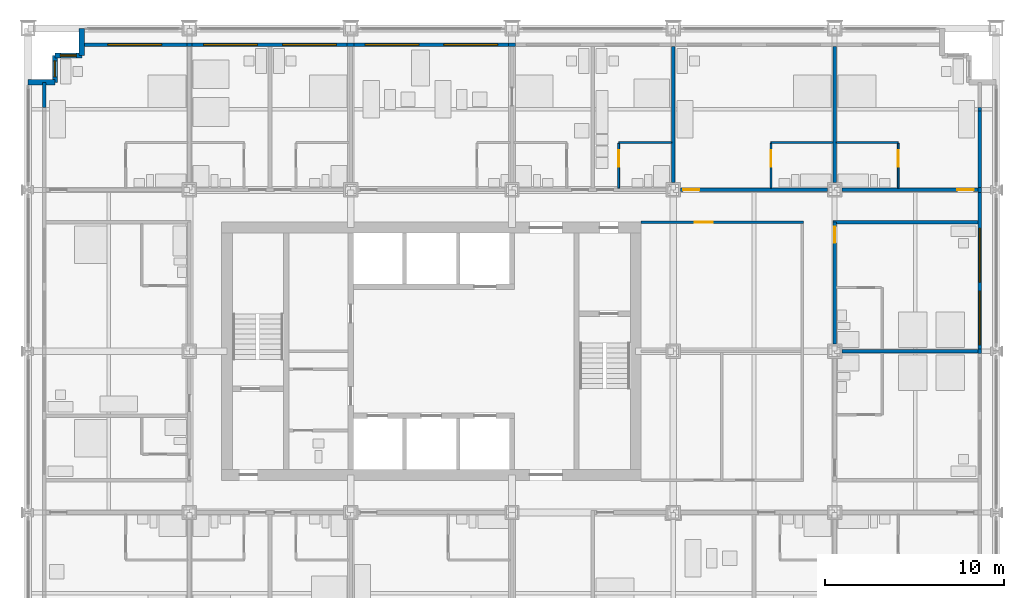
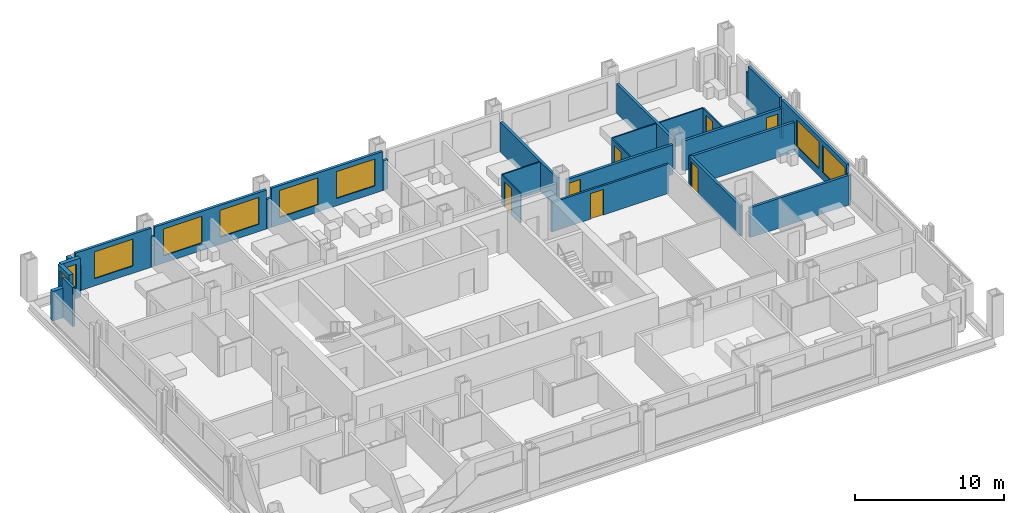
# One storey, part 14 of 18: 30 walls, 9 windows, 7 doors, 16 openings.
"""IFC4 building model written with IfcOpenShell, lengths in metres."""

from ifc_helpers import new_model, si_unit, direction, frame, frame_2d, origin, place, context, subcontext, project, spatial, rectangle, extrude, material, layer, layer_set, type_object, element, fill, save


model = new_model("IFC4")

# Units and contexts
model_context = context("Model", 3, precision=1e-05, world=origin(), true_north=direction((0.0, 1.0)))
body_context = subcontext(model_context, "Body", "Model", "MODEL_VIEW")
ifc_project = project(units=[si_unit("LENGTHUNIT", "METRE"), si_unit("AREAUNIT", "SQUARE_METRE"), si_unit("VOLUMEUNIT", "CUBIC_METRE"), si_unit("PLANEANGLEUNIT", "RADIAN"), si_unit("MASSUNIT", "GRAM", prefix="KILO")], contexts=[model_context])

# Site, building, storey
site_placement = place(None, origin())
site = spatial("IfcSite", under=ifc_project, at=site_placement, CompositionType="ELEMENT")
building_placement = place(site_placement, origin())
building = spatial("IfcBuilding", under=site, at=building_placement, Name="Loomwork Tower", CompositionType="ELEMENT")
storey_placement = place(building_placement, frame((0.0, 0.0, 38.199951171875)))
storey = spatial("IfcBuildingStorey", under=building, at=storey_placement, Name="L08", CompositionType="ELEMENT", Elevation=38.199951171875)

# Wall, opening, door
ifc_material_1 = material(Name="Gypsum board on steel studs, one-hour", Category="steel")
ifc_layer_1 = layer(ifc_material_1, 0.199951171875)
ifc_layer_set_1 = layer_set([ifc_layer_1], Name="Corridor wall 200")
wall_type_1 = type_object("IfcWallType", Name="Corridor wall 200", PredefinedType="PARTITIONING", material=ifc_layer_set_1)
wall_1_placement = place(storey_placement, frame((36.39990234375, 27.0, 0.0), z_axis=(0.0, 0.0, 1.0), x_axis=(1.0, 0.0, 0.0)))
wall_1 = element("IfcWall", 1, at=wall_1_placement, inside=storey, type_object=wall_type_1, Name="North corridor wall 5", PredefinedType="PARTITIONING", context=body_context, shape_type="SweptSolid", body=[
    extrude(rectangle(XDim=8.2001953125, YDim=0.199951171875, at=frame_2d((4.10009765625, 0.0))), origin(), (0.0, 0.0, 1.0), 2.43798828125),
])
opening_1_placement = place(wall_1_placement, frame((0.14990234375, 0.0, 0.0)))
opening_1 = element("IfcOpeningElement", 2, at=opening_1_placement, cuts=wall_1, Name="Opening D1", PredefinedType="OPENING", context=body_context, shape_type="SweptSolid", body=[
    extrude(rectangle(XDim=0.89990234375, YDim=2.10009765625, at=frame_2d((0.449951171875, 1.050048828125))), frame((0.0, 0.10986328125, 0.0), z_axis=(0.0, -1.0, 0.0), x_axis=(1.0, 0.0, 0.0)), (0.0, 0.0, 1.0), 0.219970703125),
])
ifc_material_2 = material(Name="Hollow metal door and frame")
door_type_1 = type_object("IfcDoorType", Name="Guest room entry door 900", OperationType="SINGLE_SWING_LEFT", PredefinedType="DOOR", material=ifc_material_2)
door_1_placement = place(opening_1_placement, origin())
door_1 = element("IfcDoor", 3, at=door_1_placement, inside=storey, type_object=door_type_1, Name="Guest room entry door L08 14", OperationType="SINGLE_SWING_LEFT", OverallHeight=2.10009765625, OverallWidth=0.89990234375, PredefinedType="DOOR", context=body_context, shape_type="SweptSolid", body=[
    extrude(rectangle(XDim=0.89990234375, YDim=2.10009765625, at=frame_2d((0.449951171875, 1.050048828125))), frame((0.0, 0.02490234375, 0.0), z_axis=(0.0, -1.0, 0.0), x_axis=(1.0, 0.0, 0.0)), (0.0, 0.0, 1.0), 0.050048828125),
])
fill(opening_1, door_1)

wall_2_placement = place(storey_placement, frame((45.39990234375, 27.0, 0.0), z_axis=(0.0, 0.0, 1.0), x_axis=(1.0, 0.0, 0.0)))
wall_2 = element("IfcWall", 4, at=wall_2_placement, inside=storey, type_object=wall_type_1, Name="North corridor wall 6", PredefinedType="PARTITIONING", context=body_context, shape_type="SweptSolid", body=[
    extrude(rectangle(XDim=7.60009765625, YDim=0.199951171875, at=frame_2d((3.800048828125, 0.0))), origin(), (0.0, 0.0, 1.0), 2.43798828125),
])
opening_2_placement = place(wall_2_placement, frame((6.449951171875, 0.0, 0.0)))
opening_2 = element("IfcOpeningElement", 5, at=opening_2_placement, cuts=wall_2, Name="Opening D1", PredefinedType="OPENING", context=body_context, shape_type="SweptSolid", body=[
    extrude(rectangle(XDim=0.89990234375, YDim=2.10009765625, at=frame_2d((0.449951171875, 1.050048828125))), frame((0.0, 0.10986328125, 0.0), z_axis=(0.0, -1.0, 0.0), x_axis=(1.0, 0.0, 0.0)), (0.0, 0.0, 1.0), 0.219970703125),
])
door_2_placement = place(opening_2_placement, origin())
door_2 = element("IfcDoor", 6, at=door_2_placement, inside=storey, type_object=door_type_1, Name="Guest room entry door L08 15", OperationType="SINGLE_SWING_RIGHT", OverallHeight=2.10009765625, OverallWidth=0.89990234375, PredefinedType="DOOR", context=body_context, shape_type="SweptSolid", body=[
    extrude(rectangle(XDim=0.89990234375, YDim=2.10009765625, at=frame_2d((0.449951171875, 1.050048828125))), frame((0.0, 0.02490234375, 0.0), z_axis=(0.0, -1.0, 0.0), x_axis=(1.0, 0.0, 0.0)), (0.0, 0.0, 1.0), 0.050048828125),
])
fill(opening_2, door_2)

wall_3_placement = place(storey_placement, frame((45.0, 18.39990234375, 0.0), z_axis=(0.0, 0.0, 1.0), x_axis=(0.0, 1.0, 0.0)))
wall_3 = element("IfcWall", 7, at=wall_3_placement, inside=storey, type_object=wall_type_1, Name="East corridor wall 2", PredefinedType="PARTITIONING", context=body_context, shape_type="SweptSolid", body=[
    extrude(rectangle(XDim=6.800048828125, YDim=0.199951171875, at=frame_2d((3.39990234375, 0.0))), origin(), (0.0, 0.0, 1.0), 2.43798828125),
])
opening_3_placement = place(wall_3_placement, frame((5.64990234375, 0.0, 0.0)))
opening_3 = element("IfcOpeningElement", 8, at=opening_3_placement, cuts=wall_3, Name="Opening D1", PredefinedType="OPENING", context=body_context, shape_type="SweptSolid", body=[
    extrude(rectangle(XDim=0.89990234375, YDim=2.10009765625, at=frame_2d((0.449951171875, 1.050048828125))), frame((0.0, 0.10986328125, 0.0), z_axis=(0.0, -1.0, 0.0), x_axis=(1.0, 0.0, 0.0)), (0.0, 0.0, 1.0), 0.219970703125),
])
door_3_placement = place(opening_3_placement, frame((0.89990234375, 0.0, 0.0), z_axis=(0.0, 0.0, 1.0), x_axis=(-1.0, 0.0, 0.0)))
door_3 = element("IfcDoor", 9, at=door_3_placement, inside=storey, type_object=door_type_1, Name="Guest room entry door L08 19", OperationType="SINGLE_SWING_LEFT", OverallHeight=2.10009765625, OverallWidth=0.89990234375, PredefinedType="DOOR", context=body_context, shape_type="SweptSolid", body=[
    extrude(rectangle(XDim=0.89990234375, YDim=2.10009765625, at=frame_2d((0.449951171875, 1.050048828125))), frame((0.0, 0.02490234375, 0.0), z_axis=(0.0, -1.0, 0.0), x_axis=(1.0, 0.0, 0.0)), (0.0, 0.0, 1.0), 0.050048828125),
])
fill(opening_3, door_3)

# Walls
wall_4_placement = place(storey_placement, frame((44.89990234375, 25.199951171875, 0.0), z_axis=(0.0, 0.0, 1.0), x_axis=(1.0, 0.0, 0.0)))
element("IfcWall", 10, at=wall_4_placement, inside=storey, type_object=wall_type_1, Name="East band end wall N", PredefinedType="PARTITIONING", context=body_context, shape_type="SweptSolid", body=[
    extrude(rectangle(XDim=8.10009765625, YDim=0.199951171875, at=frame_2d((4.050048828125, 0.0))), origin(), (0.0, 0.0, 1.0), 2.43798828125),
])
ifc_material_3 = material(Name="Cement board on steel studs", Category="steel")
ifc_layer_2 = layer(ifc_material_3, 0.10009765625)
ifc_layer_set_2 = layer_set([ifc_layer_2], Name="En-suite partition 100")
wall_type_2 = type_object("IfcWallType", Name="En-suite partition 100", PredefinedType="PARTITIONING", material=ifc_layer_set_2)
wall_5_placement = place(storey_placement, frame((32.949951171875, 29.64990234375, 0.0), z_axis=(0.0, 0.0, 1.0), x_axis=(1.0, 0.0, 0.0)))
element("IfcWall", 11, at=wall_5_placement, inside=storey, type_object=wall_type_2, Name="En-suite wall L08 room 13", PredefinedType="PARTITIONING", context=body_context, shape_type="SweptSolid", body=[
    extrude(rectangle(XDim=2.949951171875, YDim=0.10009765625, at=frame_2d((1.47509765625, 0.0))), origin(), (0.0, 0.0, 1.0), 2.43798828125),
])

# Wall, opening, door
wall_6_placement = place(storey_placement, frame((32.949951171875, 27.10009765625, 0.0), z_axis=(0.0, 0.0, 1.0), x_axis=(0.0, 1.0, 0.0)))
wall_6 = element("IfcWall", 12, at=wall_6_placement, inside=storey, type_object=wall_type_2, Name="En-suite side wall L08 room 13", PredefinedType="PARTITIONING", context=body_context, shape_type="SweptSolid", body=[
    extrude(rectangle(XDim=2.5, YDim=0.10009765625, at=frame_2d((1.25, 0.0))), origin(), (0.0, 0.0, 1.0), 2.404052734375),
])
opening_4_placement = place(wall_6_placement, frame((1.199951171875, 0.0, 0.0)))
opening_4 = element("IfcOpeningElement", 13, at=opening_4_placement, cuts=wall_6, Name="Opening D2", PredefinedType="OPENING", context=body_context, shape_type="SweptSolid", body=[
    extrude(rectangle(XDim=0.89990234375, YDim=2.10009765625, at=frame_2d((0.449951171875, 1.050048828125))), frame((0.0, 0.06005859375, 0.0), z_axis=(0.0, -1.0, 0.0), x_axis=(1.0, 0.0, 0.0)), (0.0, 0.0, 1.0), 0.1201171875),
])
ifc_material_4 = material(Name="Hollow metal door and frame")
door_type_2 = type_object("IfcDoorType", Name="En-suite door 900", OperationType="SINGLE_SWING_LEFT", PredefinedType="DOOR", material=ifc_material_4)
door_4_placement = place(opening_4_placement, frame((0.89990234375, 0.0, 0.0), z_axis=(0.0, 0.0, 1.0), x_axis=(-1.0, 0.0, 0.0)))
door_4 = element("IfcDoor", 14, at=door_4_placement, inside=storey, type_object=door_type_2, Name="En-suite door room 13", OperationType="SINGLE_SWING_LEFT", OverallHeight=2.10009765625, OverallWidth=0.89990234375, PredefinedType="DOOR", context=body_context, shape_type="SweptSolid", body=[
    extrude(rectangle(XDim=0.89990234375, YDim=2.10009765625, at=frame_2d((0.449951171875, 1.050048828125))), frame((0.0, 0.02490234375, 0.0), z_axis=(0.0, -1.0, 0.0), x_axis=(1.0, 0.0, 0.0)), (0.0, 0.0, 1.0), 0.050048828125),
])
fill(opening_4, door_4)

# Wall
wall_7_placement = place(storey_placement, frame((41.449951171875, 29.64990234375, 0.0), z_axis=(0.0, 0.0, 1.0), x_axis=(1.0, 0.0, 0.0)))
element("IfcWall", 15, at=wall_7_placement, inside=storey, type_object=wall_type_2, Name="En-suite wall L08 room 14", PredefinedType="PARTITIONING", context=body_context, shape_type="SweptSolid", body=[
    extrude(rectangle(XDim=3.449951171875, YDim=0.10009765625, at=frame_2d((1.72509765625, 0.0))), origin(), (0.0, 0.0, 1.0), 2.43798828125),
])

# Wall, opening, door
wall_8_placement = place(storey_placement, frame((41.449951171875, 27.10009765625, 0.0), z_axis=(0.0, 0.0, 1.0), x_axis=(0.0, 1.0, 0.0)))
wall_8 = element("IfcWall", 16, at=wall_8_placement, inside=storey, type_object=wall_type_2, Name="En-suite side wall L08 room 14", PredefinedType="PARTITIONING", context=body_context, shape_type="SweptSolid", body=[
    extrude(rectangle(XDim=2.5, YDim=0.10009765625, at=frame_2d((1.25, 0.0))), origin(), (0.0, 0.0, 1.0), 2.43798828125),
])
opening_5_placement = place(wall_8_placement, frame((1.199951171875, 0.0, 0.0)))
opening_5 = element("IfcOpeningElement", 17, at=opening_5_placement, cuts=wall_8, Name="Opening D2", PredefinedType="OPENING", context=body_context, shape_type="SweptSolid", body=[
    extrude(rectangle(XDim=0.89990234375, YDim=2.10009765625, at=frame_2d((0.449951171875, 1.050048828125))), frame((0.0, 0.06005859375, 0.0), z_axis=(0.0, -1.0, 0.0), x_axis=(1.0, 0.0, 0.0)), (0.0, 0.0, 1.0), 0.1201171875),
])
door_5_placement = place(opening_5_placement, frame((0.89990234375, 0.0, 0.0), z_axis=(0.0, 0.0, 1.0), x_axis=(-1.0, 0.0, 0.0)))
door_5 = element("IfcDoor", 18, at=door_5_placement, inside=storey, type_object=door_type_2, Name="En-suite door room 14", OperationType="SINGLE_SWING_LEFT", OverallHeight=2.10009765625, OverallWidth=0.89990234375, PredefinedType="DOOR", context=body_context, shape_type="SweptSolid", body=[
    extrude(rectangle(XDim=0.89990234375, YDim=2.10009765625, at=frame_2d((0.449951171875, 1.050048828125))), frame((0.0, 0.02490234375, 0.0), z_axis=(0.0, -1.0, 0.0), x_axis=(1.0, 0.0, 0.0)), (0.0, 0.0, 1.0), 0.050048828125),
])
fill(opening_5, door_5)

# Wall
wall_9_placement = place(storey_placement, frame((45.10009765625, 29.64990234375, 0.0), z_axis=(0.0, 0.0, 1.0), x_axis=(1.0, 0.0, 0.0)))
element("IfcWall", 19, at=wall_9_placement, inside=storey, type_object=wall_type_2, Name="En-suite wall L08 room 15", PredefinedType="PARTITIONING", context=body_context, shape_type="SweptSolid", body=[
    extrude(rectangle(XDim=3.449951171875, YDim=0.10009765625, at=frame_2d((1.72509765625, 0.0))), origin(), (0.0, 0.0, 1.0), 2.43798828125),
])

# Wall, opening, door
wall_10_placement = place(storey_placement, frame((48.550048828125, 27.10009765625, 0.0), z_axis=(0.0, 0.0, 1.0), x_axis=(0.0, 1.0, 0.0)))
wall_10 = element("IfcWall", 20, at=wall_10_placement, inside=storey, type_object=wall_type_2, Name="En-suite side wall L08 room 15", PredefinedType="PARTITIONING", context=body_context, shape_type="SweptSolid", body=[
    extrude(rectangle(XDim=2.5, YDim=0.10009765625, at=frame_2d((1.25, 0.0))), origin(), (0.0, 0.0, 1.0), 2.43798828125),
])
opening_6_placement = place(wall_10_placement, frame((1.199951171875, 0.0, 0.0)))
opening_6 = element("IfcOpeningElement", 21, at=opening_6_placement, cuts=wall_10, Name="Opening D2", PredefinedType="OPENING", context=body_context, shape_type="SweptSolid", body=[
    extrude(rectangle(XDim=0.89990234375, YDim=2.10009765625, at=frame_2d((0.449951171875, 1.050048828125))), frame((0.0, 0.06005859375, 0.0), z_axis=(0.0, -1.0, 0.0), x_axis=(1.0, 0.0, 0.0)), (0.0, 0.0, 1.0), 0.1201171875),
])
door_6_placement = place(opening_6_placement, origin())
door_6 = element("IfcDoor", 22, at=door_6_placement, inside=storey, type_object=door_type_2, Name="En-suite door room 15", OperationType="SINGLE_SWING_RIGHT", OverallHeight=2.10009765625, OverallWidth=0.89990234375, PredefinedType="DOOR", context=body_context, shape_type="SweptSolid", body=[
    extrude(rectangle(XDim=0.89990234375, YDim=2.10009765625, at=frame_2d((0.449951171875, 1.050048828125))), frame((0.0, 0.02490234375, 0.0), z_axis=(0.0, -1.0, 0.0), x_axis=(1.0, 0.0, 0.0)), (0.0, 0.0, 1.0), 0.050048828125),
])
fill(opening_6, door_6)

# Walls
ifc_material_5 = material(Name="Gypsum board on steel studs, acoustic", Category="steel")
ifc_layer_3 = layer(ifc_material_5, 0.199951171875)
ifc_layer_set_3 = layer_set([ifc_layer_3], Name="Guest room party wall 200")
wall_type_3 = type_object("IfcWallType", Name="Guest room party wall 200", PredefinedType="PARTITIONING", material=ifc_layer_set_3)
for number, where, z_axis, x_axis, name in (
    (23, (36.0, 27.39990234375, 0.0), (0.0, 0.0, 1.0), (0.0, 1.0, 0.0), "Guest room party wall N 36"),
    (24, (45.0, 27.39990234375, 0.0), (0.0, 0.0, 1.0), (0.0, 1.0, 0.0), "Guest room party wall N 45"),
    (25, (45.39990234375, 18.0, 0.0), (0.0, 0.0, 1.0), (1.0, 0.0, 0.0), "Guest room party wall E 18"),
):
    element("IfcWall", number, at=place(storey_placement, frame(where, z_axis=z_axis, x_axis=x_axis)), inside=storey, type_object=wall_type_3, Name=name, PredefinedType="PARTITIONING", context=body_context, shape_type="SweptSolid", body=[
        extrude(rectangle(XDim=7.60009765625, YDim=0.199951171875, at=frame_2d((3.800048828125, 0.0))), origin(), (0.0, 0.0, 1.0), 2.43798828125),
    ])

# Wall, opening, window
ifc_material_6 = material(Name="Insulated steel stud wall with gypsum lining", Category="steel")
ifc_layer_4 = layer(ifc_material_6, 0.199951171875)
ifc_layer_set_4 = layer_set([ifc_layer_4], Name="Inner skin wall 200")
wall_type_4 = type_object("IfcWallType", Name="Inner skin wall 200", PredefinedType="SOLIDWALL", material=ifc_layer_set_4)
wall_11_placement = place(storey_placement, frame((3.0, 35.10009765625, 0.0), z_axis=(0.0, 0.0, 1.0), x_axis=(1.0, 0.0, 0.0)))
wall_11 = element("IfcWall", 26, at=wall_11_placement, inside=storey, type_object=wall_type_4, Name="Inner skin wall N", PredefinedType="SOLIDWALL", context=body_context, shape_type="SweptSolid", body=[
    extrude(rectangle(XDim=5.86474609375, YDim=0.199951171875, at=frame_2d((2.932373046875, 0.0))), origin(), (0.0, 0.0, 1.0), 3.199951171875),
])
opening_7_placement = place(wall_11_placement, frame((1.449951171875, 0.0, 0.60009765625)))
opening_7 = element("IfcOpeningElement", 27, at=opening_7_placement, cuts=wall_11, Name="Opening CH1", PredefinedType="OPENING", context=body_context, shape_type="SweptSolid", body=[
    extrude(rectangle(XDim=3.0, YDim=2.199951171875, at=frame_2d((1.5, 1.10009765625))), frame((0.0, 0.10986328125, 0.0), z_axis=(0.0, -1.0, 0.0), x_axis=(1.0, 0.0, 0.0)), (0.0, 0.0, 1.0), 0.219970703125),
])
ifc_material_7 = material(Name="Aluminium frame with clear insulated glass", Category="aluminium")
window_type_1 = type_object("IfcWindowType", Name="Chicago window 3000", PartitioningType="TRIPLE_PANEL_VERTICAL", PredefinedType="WINDOW", material=ifc_material_7)
window_1_placement = place(opening_7_placement, origin())
window_1 = element("IfcWindow", 28, at=window_1_placement, inside=storey, type_object=window_type_1, Name="Chicago window L08 bay 7", OverallHeight=2.199951171875, OverallWidth=3.0, PartitioningType="TRIPLE_PANEL_VERTICAL", PredefinedType="WINDOW", context=body_context, shape_type="SweptSolid", body=[
    extrude(rectangle(XDim=3.0, YDim=2.199951171875, at=frame_2d((1.5, 1.10009765625))), frame((0.0, 0.030029296875, 0.0), z_axis=(0.0, -1.0, 0.0), x_axis=(1.0, 0.0, 0.0)), (0.0, 0.0, 1.0), 0.06005859375),
])
fill(opening_7, window_1)

# Walls
wall_12_placement = place(storey_placement, frame((0.89990234375, 31.607421875, 0.0), z_axis=(0.0, 0.0, 1.0), x_axis=(0.0, 1.0, 0.0)))
element("IfcWall", 29, at=wall_12_placement, inside=storey, type_object=wall_type_4, Name="Inner skin wall W bay 11", PredefinedType="SOLIDWALL", context=body_context, shape_type="SweptSolid", body=[
    extrude(rectangle(XDim=1.392578125, YDim=0.199951171875, at=frame_2d((0.6962890625, 0.0))), origin(), (0.0, 0.0, 1.0), 3.199951171875),
])
wall_13_placement = place(storey_placement, frame((8.86474609375, 35.10009765625, 0.0), z_axis=(0.0, 0.0, 1.0), x_axis=(1.0, 0.0, 0.0)))
element("IfcWall", 30, at=wall_13_placement, inside=storey, type_object=wall_type_4, Name="Inner skin wall N bay 2", PredefinedType="SOLIDWALL", context=body_context, shape_type="SweptSolid", body=[
    extrude(rectangle(XDim=0.2705078125, YDim=0.199951171875, at=frame_2d((0.13525390625, 0.0))), origin(), (0.0, 0.0, 1.0), 2.43798828125),
])

# Wall, openings, windows
wall_14_placement = place(storey_placement, frame((9.13525390625, 35.10009765625, 0.0), z_axis=(0.0, 0.0, 1.0), x_axis=(1.0, 0.0, 0.0)))
wall_14 = element("IfcWall", 31, at=wall_14_placement, inside=storey, type_object=wall_type_4, Name="Inner skin wall N bay 3", PredefinedType="SOLIDWALL", context=body_context, shape_type="SweptSolid", body=[
    extrude(rectangle(XDim=8.6708984375, YDim=0.199951171875, at=frame_2d((4.33544921875, 0.0))), origin(), (0.0, 0.0, 1.0), 3.199951171875),
])
opening_8_placement = place(wall_14_placement, frame((0.664794921875, 0.0, 0.60009765625)))
opening_8 = element("IfcOpeningElement", 32, at=opening_8_placement, cuts=wall_14, Name="Opening CH1", PredefinedType="OPENING", context=body_context, shape_type="SweptSolid", body=[
    extrude(rectangle(XDim=3.0, YDim=2.199951171875, at=frame_2d((1.5, 1.10009765625))), frame((0.0, 0.10986328125, 0.0), z_axis=(0.0, -1.0, 0.0), x_axis=(1.0, 0.0, 0.0)), (0.0, 0.0, 1.0), 0.219970703125),
])
opening_9_placement = place(wall_14_placement, frame((5.064697265625, 0.0, 0.60009765625)))
opening_9 = element("IfcOpeningElement", 33, at=opening_9_placement, cuts=wall_14, Name="Opening CH1", PredefinedType="OPENING", context=body_context, shape_type="SweptSolid", body=[
    extrude(rectangle(XDim=3.0, YDim=2.199951171875, at=frame_2d((1.5, 1.10009765625))), frame((0.0, 0.10986328125, 0.0), z_axis=(0.0, -1.0, 0.0), x_axis=(1.0, 0.0, 0.0)), (0.0, 0.0, 1.0), 0.219970703125),
])
window_2_placement = place(opening_8_placement, origin())
window_2 = element("IfcWindow", 34, at=window_2_placement, inside=storey, type_object=window_type_1, Name="Chicago window L08 bay 8", OverallHeight=2.199951171875, OverallWidth=3.0, PartitioningType="TRIPLE_PANEL_VERTICAL", PredefinedType="WINDOW", context=body_context, shape_type="SweptSolid", body=[
    extrude(rectangle(XDim=3.0, YDim=2.199951171875, at=frame_2d((1.5, 1.10009765625))), frame((0.0, 0.030029296875, 0.0), z_axis=(0.0, -1.0, 0.0), x_axis=(1.0, 0.0, 0.0)), (0.0, 0.0, 1.0), 0.06005859375),
])
fill(opening_8, window_2)
window_3_placement = place(opening_9_placement, origin())
window_3 = element("IfcWindow", 35, at=window_3_placement, inside=storey, type_object=window_type_1, Name="Chicago window L08 bay 8", OverallHeight=2.199951171875, OverallWidth=3.0, PartitioningType="TRIPLE_PANEL_VERTICAL", PredefinedType="WINDOW", context=body_context, shape_type="SweptSolid", body=[
    extrude(rectangle(XDim=3.0, YDim=2.199951171875, at=frame_2d((1.5, 1.10009765625))), frame((0.0, 0.030029296875, 0.0), z_axis=(0.0, -1.0, 0.0), x_axis=(1.0, 0.0, 0.0)), (0.0, 0.0, 1.0), 0.06005859375),
])
fill(opening_9, window_3)

# Wall
wall_15_placement = place(storey_placement, frame((17.80615234375, 35.10009765625, 0.0), z_axis=(0.0, 0.0, 1.0), x_axis=(1.0, 0.0, 0.0)))
element("IfcWall", 36, at=wall_15_placement, inside=storey, type_object=wall_type_4, Name="Inner skin wall N bay 4", PredefinedType="SOLIDWALL", context=body_context, shape_type="SweptSolid", body=[
    extrude(rectangle(XDim=0.3876953125, YDim=0.199951171875, at=frame_2d((0.19384765625, 0.0))), origin(), (0.0, 0.0, 1.0), 2.404052734375),
])

# Wall, openings, windows
wall_16_placement = place(storey_placement, frame((18.19384765625, 35.10009765625, 0.0), z_axis=(0.0, 0.0, 1.0), x_axis=(1.0, 0.0, 0.0)))
wall_16 = element("IfcWall", 37, at=wall_16_placement, inside=storey, type_object=wall_type_4, Name="Inner skin wall N bay 5", PredefinedType="SOLIDWALL", context=body_context, shape_type="SweptSolid", body=[
    extrude(rectangle(XDim=8.6123046875, YDim=0.199951171875, at=frame_2d((4.30615234375, 0.0))), origin(), (0.0, 0.0, 1.0), 3.199951171875),
])
opening_10_placement = place(wall_16_placement, frame((0.606201171875, 0.0, 0.60009765625)))
opening_10 = element("IfcOpeningElement", 38, at=opening_10_placement, cuts=wall_16, Name="Opening CH1", PredefinedType="OPENING", context=body_context, shape_type="SweptSolid", body=[
    extrude(rectangle(XDim=3.0, YDim=2.199951171875, at=frame_2d((1.5, 1.10009765625))), frame((0.0, 0.10986328125, 0.0), z_axis=(0.0, -1.0, 0.0), x_axis=(1.0, 0.0, 0.0)), (0.0, 0.0, 1.0), 0.219970703125),
])
opening_11_placement = place(wall_16_placement, frame((5.006103515625, 0.0, 0.60009765625)))
opening_11 = element("IfcOpeningElement", 39, at=opening_11_placement, cuts=wall_16, Name="Opening CH1", PredefinedType="OPENING", context=body_context, shape_type="SweptSolid", body=[
    extrude(rectangle(XDim=3.0, YDim=2.199951171875, at=frame_2d((1.5, 1.10009765625))), frame((0.0, 0.10986328125, 0.0), z_axis=(0.0, -1.0, 0.0), x_axis=(1.0, 0.0, 0.0)), (0.0, 0.0, 1.0), 0.219970703125),
])
window_4_placement = place(opening_10_placement, origin())
window_4 = element("IfcWindow", 40, at=window_4_placement, inside=storey, type_object=window_type_1, Name="Chicago window L08 bay 9", OverallHeight=2.199951171875, OverallWidth=3.0, PartitioningType="TRIPLE_PANEL_VERTICAL", PredefinedType="WINDOW", context=body_context, shape_type="SweptSolid", body=[
    extrude(rectangle(XDim=3.0, YDim=2.199951171875, at=frame_2d((1.5, 1.10009765625))), frame((0.0, 0.030029296875, 0.0), z_axis=(0.0, -1.0, 0.0), x_axis=(1.0, 0.0, 0.0)), (0.0, 0.0, 1.0), 0.06005859375),
])
fill(opening_10, window_4)
window_5_placement = place(opening_11_placement, origin())
window_5 = element("IfcWindow", 41, at=window_5_placement, inside=storey, type_object=window_type_1, Name="Chicago window L08 bay 9", OverallHeight=2.199951171875, OverallWidth=3.0, PartitioningType="TRIPLE_PANEL_VERTICAL", PredefinedType="WINDOW", context=body_context, shape_type="SweptSolid", body=[
    extrude(rectangle(XDim=3.0, YDim=2.199951171875, at=frame_2d((1.5, 1.10009765625))), frame((0.0, 0.030029296875, 0.0), z_axis=(0.0, -1.0, 0.0), x_axis=(1.0, 0.0, 0.0)), (0.0, 0.0, 1.0), 0.06005859375),
])
fill(opening_11, window_5)

# Walls
wall_17_placement = place(storey_placement, frame((26.80615234375, 35.10009765625, 0.0), z_axis=(0.0, 0.0, 1.0), x_axis=(1.0, 0.0, 0.0)))
element("IfcWall", 42, at=wall_17_placement, inside=storey, type_object=wall_type_4, Name="Inner skin wall N bay 6", PredefinedType="SOLIDWALL", context=body_context, shape_type="SweptSolid", body=[
    extrude(rectangle(XDim=0.3876953125, YDim=0.199951171875, at=frame_2d((0.19384765625, 0.0))), origin(), (0.0, 0.0, 1.0), 2.404052734375),
])
wall_18_placement = place(storey_placement, frame((53.10009765625, 17.864501953125, 0.0), z_axis=(0.0, 0.0, 1.0), x_axis=(0.0, 1.0, 0.0)))
element("IfcWall", 43, at=wall_18_placement, inside=storey, type_object=wall_type_4, Name="Inner skin wall E bay 6", PredefinedType="SOLIDWALL", context=body_context, shape_type="SweptSolid", body=[
    extrude(rectangle(XDim=0.27099609375, YDim=0.199951171875, at=frame_2d((0.135498046875, 0.0))), origin(), (0.0, 0.0, 1.0), 2.43798828125),
])

# Wall, openings, windows
wall_19_placement = place(storey_placement, frame((53.10009765625, 18.135498046875, 0.0), z_axis=(0.0, 0.0, 1.0), x_axis=(0.0, 1.0, 0.0)))
wall_19 = element("IfcWall", 44, at=wall_19_placement, inside=storey, type_object=wall_type_4, Name="Inner skin wall E bay 7", PredefinedType="SOLIDWALL", context=body_context, shape_type="SweptSolid", body=[
    extrude(rectangle(XDim=8.729248046875, YDim=0.199951171875, at=frame_2d((4.36474609375, 0.0))), origin(), (0.0, 0.0, 1.0), 3.199951171875),
])
opening_12_placement = place(wall_19_placement, frame((0.214599609375, 0.0, 0.60009765625)))
opening_12 = element("IfcOpeningElement", 45, at=opening_12_placement, cuts=wall_19, Name="Opening CH1", PredefinedType="OPENING", context=body_context, shape_type="SweptSolid", body=[
    extrude(rectangle(XDim=3.0, YDim=2.199951171875, at=frame_2d((1.5, 1.10009765625))), frame((0.0, 0.10986328125, 0.0), z_axis=(0.0, -1.0, 0.0), x_axis=(1.0, 0.0, 0.0)), (0.0, 0.0, 1.0), 0.219970703125),
])
opening_13_placement = place(wall_19_placement, frame((3.714599609375, 0.0, 0.60009765625)))
opening_13 = element("IfcOpeningElement", 46, at=opening_13_placement, cuts=wall_19, Name="Opening CH1", PredefinedType="OPENING", context=body_context, shape_type="SweptSolid", body=[
    extrude(rectangle(XDim=3.0, YDim=2.199951171875, at=frame_2d((1.5, 1.10009765625))), frame((0.0, 0.10986328125, 0.0), z_axis=(0.0, -1.0, 0.0), x_axis=(1.0, 0.0, 0.0)), (0.0, 0.0, 1.0), 0.219970703125),
])
window_6_placement = place(opening_12_placement, origin())
window_6 = element("IfcWindow", 47, at=window_6_placement, inside=storey, type_object=window_type_1, Name="Chicago window L08 bay 16", OverallHeight=2.199951171875, OverallWidth=3.0, PartitioningType="TRIPLE_PANEL_VERTICAL", PredefinedType="WINDOW", context=body_context, shape_type="SweptSolid", body=[
    extrude(rectangle(XDim=3.0, YDim=2.199951171875, at=frame_2d((1.5, 1.10009765625))), frame((0.0, 0.030029296875, 0.0), z_axis=(0.0, -1.0, 0.0), x_axis=(1.0, 0.0, 0.0)), (0.0, 0.0, 1.0), 0.06005859375),
])
fill(opening_12, window_6)
window_7_placement = place(opening_13_placement, origin())
window_7 = element("IfcWindow", 48, at=window_7_placement, inside=storey, type_object=window_type_1, Name="Chicago window L08 bay 16", OverallHeight=2.199951171875, OverallWidth=3.0, PartitioningType="TRIPLE_PANEL_VERTICAL", PredefinedType="WINDOW", context=body_context, shape_type="SweptSolid", body=[
    extrude(rectangle(XDim=3.0, YDim=2.199951171875, at=frame_2d((1.5, 1.10009765625))), frame((0.0, 0.030029296875, 0.0), z_axis=(0.0, -1.0, 0.0), x_axis=(1.0, 0.0, 0.0)), (0.0, 0.0, 1.0), 0.06005859375),
])
fill(opening_13, window_7)

# Walls
wall_20_placement = place(storey_placement, frame((53.10009765625, 26.86474609375, 0.0), z_axis=(0.0, 0.0, 1.0), x_axis=(0.0, 1.0, 0.0)))
element("IfcWall", 49, at=wall_20_placement, inside=storey, type_object=wall_type_4, Name="Inner skin wall E bay 8", PredefinedType="SOLIDWALL", context=body_context, shape_type="SweptSolid", body=[
    extrude(rectangle(XDim=0.2705078125, YDim=0.199951171875, at=frame_2d((0.13525390625, 0.0))), origin(), (0.0, 0.0, 1.0), 2.43798828125),
])
wall_21_placement = place(storey_placement, frame((53.10009765625, 27.13525390625, 0.0), z_axis=(0.0, 0.0, 1.0), x_axis=(0.0, 1.0, 0.0)))
element("IfcWall", 50, at=wall_21_placement, inside=storey, type_object=wall_type_4, Name="Inner skin wall E bay 9", PredefinedType="SOLIDWALL", context=body_context, shape_type="SweptSolid", body=[
    extrude(rectangle(XDim=4.25732421875, YDim=0.199951171875, at=frame_2d((2.128662109375, 0.0))), origin(), (0.0, 0.0, 1.0), 3.199951171875),
])
wall_22_placement = place(storey_placement, frame((53.10009765625, 31.392578125, 0.0), z_axis=(0.0, 0.0, 1.0), x_axis=(0.0, 1.0, 0.0)))
element("IfcWall", 51, at=wall_22_placement, inside=storey, type_object=wall_type_4, Name="Inner skin wall E bay 10", PredefinedType="SOLIDWALL", context=body_context, shape_type="SweptSolid", body=[
    extrude(rectangle(XDim=0.21484375, YDim=0.199951171875, at=frame_2d((0.107421875, 0.0))), origin(), (0.0, 0.0, 1.0), 2.6611328125),
])
ifc_material_8 = material(Name="Limestone on concrete masonry", Category="masonry")
ifc_layer_5 = layer(ifc_material_8, 0.300048828125)
ifc_layer_set_5 = layer_set([ifc_layer_5], Name="Limestone corner wall 300")
wall_type_5 = type_object("IfcWallType", Name="Limestone corner wall 300", PredefinedType="SOLIDWALL", material=ifc_layer_set_5)
wall_23_placement = place(storey_placement, frame((3.0, 36.0, 0.0), z_axis=(0.0, 0.0, 1.0), x_axis=(0.0, -1.0, 0.0)))
element("IfcWall", 52, at=wall_23_placement, inside=storey, type_object=wall_type_5, Name="Stone corner wall NW 1", PredefinedType="SOLIDWALL", context=body_context, shape_type="SweptSolid", body=[
    extrude(rectangle(XDim=1.5, YDim=0.300048828125, at=frame_2d((0.75, 0.0))), origin(), (0.0, 0.0, 1.0), 2.420166015625),
])

# Wall, opening, window
wall_24_placement = place(storey_placement, frame((3.0, 34.5, 0.0), z_axis=(0.0, 0.0, 1.0), x_axis=(-1.0, 0.0, 0.0)))
wall_24 = element("IfcWall", 53, at=wall_24_placement, inside=storey, type_object=wall_type_5, Name="Stone corner wall NW 2", PredefinedType="SOLIDWALL", context=body_context, shape_type="SweptSolid", body=[
    extrude(rectangle(XDim=1.5, YDim=0.300048828125, at=frame_2d((0.75, 0.0))), origin(), (0.0, 0.0, 1.0), 3.199951171875),
])
opening_14_placement = place(wall_24_placement, frame((0.300048828125, 0.0, 0.60009765625)))
opening_14 = element("IfcOpeningElement", 54, at=opening_14_placement, cuts=wall_24, Name="Opening CH2", PredefinedType="OPENING", context=body_context, shape_type="SweptSolid", body=[
    extrude(rectangle(XDim=0.89990234375, YDim=2.199951171875, at=frame_2d((0.449951171875, 1.10009765625))), frame((0.0, 0.159912109375, 0.0), z_axis=(0.0, -1.0, 0.0), x_axis=(1.0, 0.0, 0.0)), (0.0, 0.0, 1.0), 0.320068359375),
])
ifc_material_9 = material(Name="Aluminium frame with clear insulated glass", Category="aluminium")
window_type_2 = type_object("IfcWindowType", Name="Corner window 900", PartitioningType="SINGLE_PANEL", PredefinedType="WINDOW", material=ifc_material_9)
window_8_placement = place(opening_14_placement, origin())
window_8 = element("IfcWindow", 55, at=window_8_placement, inside=storey, type_object=window_type_2, Name="Corner window NW", OverallHeight=2.199951171875, OverallWidth=0.89990234375, PartitioningType="SINGLE_PANEL", PredefinedType="WINDOW", context=body_context, shape_type="SweptSolid", body=[
    extrude(rectangle(XDim=0.89990234375, YDim=2.199951171875, at=frame_2d((0.449951171875, 1.10009765625))), frame((0.0, 0.030029296875, 0.0), z_axis=(0.0, -1.0, 0.0), x_axis=(1.0, 0.0, 0.0)), (0.0, 0.0, 1.0), 0.06005859375),
])
fill(opening_14, window_8)

wall_25_placement = place(storey_placement, frame((1.5, 34.5, 0.0), z_axis=(0.0, 0.0, 1.0), x_axis=(0.0, -1.0, 0.0)))
wall_25 = element("IfcWall", 56, at=wall_25_placement, inside=storey, type_object=wall_type_5, Name="Stone corner wall NW 3", PredefinedType="SOLIDWALL", context=body_context, shape_type="SweptSolid", body=[
    extrude(rectangle(XDim=1.5, YDim=0.300048828125, at=frame_2d((0.75, 0.0))), origin(), (0.0, 0.0, 1.0), 3.199951171875),
])
opening_15_placement = place(wall_25_placement, frame((0.300048828125, 0.0, 0.60009765625)))
opening_15 = element("IfcOpeningElement", 57, at=opening_15_placement, cuts=wall_25, Name="Opening CH2", PredefinedType="OPENING", context=body_context, shape_type="SweptSolid", body=[
    extrude(rectangle(XDim=0.89990234375, YDim=2.199951171875, at=frame_2d((0.449951171875, 1.10009765625))), frame((0.0, 0.159912109375, 0.0), z_axis=(0.0, -1.0, 0.0), x_axis=(1.0, 0.0, 0.0)), (0.0, 0.0, 1.0), 0.320068359375),
])
window_9_placement = place(opening_15_placement, origin())
window_9 = element("IfcWindow", 58, at=window_9_placement, inside=storey, type_object=window_type_2, Name="Corner window NW", OverallHeight=2.199951171875, OverallWidth=0.89990234375, PartitioningType="SINGLE_PANEL", PredefinedType="WINDOW", context=body_context, shape_type="SweptSolid", body=[
    extrude(rectangle(XDim=0.89990234375, YDim=2.199951171875, at=frame_2d((0.449951171875, 1.10009765625))), frame((0.0, 0.030029296875, 0.0), z_axis=(0.0, -1.0, 0.0), x_axis=(1.0, 0.0, 0.0)), (0.0, 0.0, 1.0), 0.06005859375),
])
fill(opening_15, window_9)

# Wall
wall_26_placement = place(storey_placement, frame((1.5, 33.0, 0.0), z_axis=(0.0, 0.0, 1.0), x_axis=(-1.0, 0.0, 0.0)))
element("IfcWall", 59, at=wall_26_placement, inside=storey, type_object=wall_type_5, Name="Stone corner wall NW 4", PredefinedType="SOLIDWALL", context=body_context, shape_type="SweptSolid", body=[
    extrude(rectangle(XDim=1.5, YDim=0.300048828125, at=frame_2d((0.75, 0.0))), origin(), (0.0, 0.0, 1.0), 2.420166015625),
])

# Wall, opening, door
ifc_material_10 = material(Name="Gypsum board on steel studs, one-hour", Category="steel")
ifc_layer_6 = layer(ifc_material_10, 0.14990234375)
ifc_layer_set_6 = layer_set([ifc_layer_6], Name="Service partition 150")
wall_type_6 = type_object("IfcWallType", Name="Service partition 150", PredefinedType="PARTITIONING", material=ifc_layer_set_6)
wall_27_placement = place(storey_placement, frame((34.199951171875, 25.199951171875, 0.0), z_axis=(0.0, 0.0, 1.0), x_axis=(1.0, 0.0, 0.0)))
wall_27 = element("IfcWall", 60, at=wall_27_placement, inside=storey, type_object=wall_type_6, Name="Service block wall N", PredefinedType="PARTITIONING", context=body_context, shape_type="SweptSolid", body=[
    extrude(rectangle(XDim=9.074951171875, YDim=0.14990234375, at=frame_2d((4.53759765625, 0.0))), origin(), (0.0, 0.0, 1.0), 2.404052734375),
])
opening_16_placement = place(wall_27_placement, frame((3.0, 0.0, 0.0)))
opening_16 = element("IfcOpeningElement", 61, at=opening_16_placement, cuts=wall_27, Name="Opening D5", PredefinedType="OPENING", context=body_context, shape_type="SweptSolid", body=[
    extrude(rectangle(XDim=1.0, YDim=2.10009765625, at=frame_2d((0.5, 1.050048828125))), frame((0.0, 0.0849609375, 0.0), z_axis=(0.0, -1.0, 0.0), x_axis=(1.0, 0.0, 0.0)), (0.0, 0.0, 1.0), 0.169921875),
])
ifc_material_11 = material(Name="Hollow metal door and frame")
door_type_3 = type_object("IfcDoorType", Name="Service door 1000", OperationType="SINGLE_SWING_LEFT", PredefinedType="DOOR", material=ifc_material_11)
door_7_placement = place(opening_16_placement, frame((1.0, 0.0, 0.0), z_axis=(0.0, 0.0, 1.0), x_axis=(-1.0, 0.0, 0.0)))
door_7 = element("IfcDoor", 62, at=door_7_placement, inside=storey, type_object=door_type_3, Name="Riser room door", OperationType="SINGLE_SWING_RIGHT", OverallHeight=2.10009765625, OverallWidth=1.0, PredefinedType="DOOR", context=body_context, shape_type="SweptSolid", body=[
    extrude(rectangle(XDim=1.0, YDim=2.10009765625, at=frame_2d((0.5, 1.050048828125))), frame((0.0, 0.02490234375, 0.0), z_axis=(0.0, -1.0, 0.0), x_axis=(1.0, 0.0, 0.0)), (0.0, 0.0, 1.0), 0.050048828125),
])
fill(opening_16, door_7)

save(model, "model.ifc")
